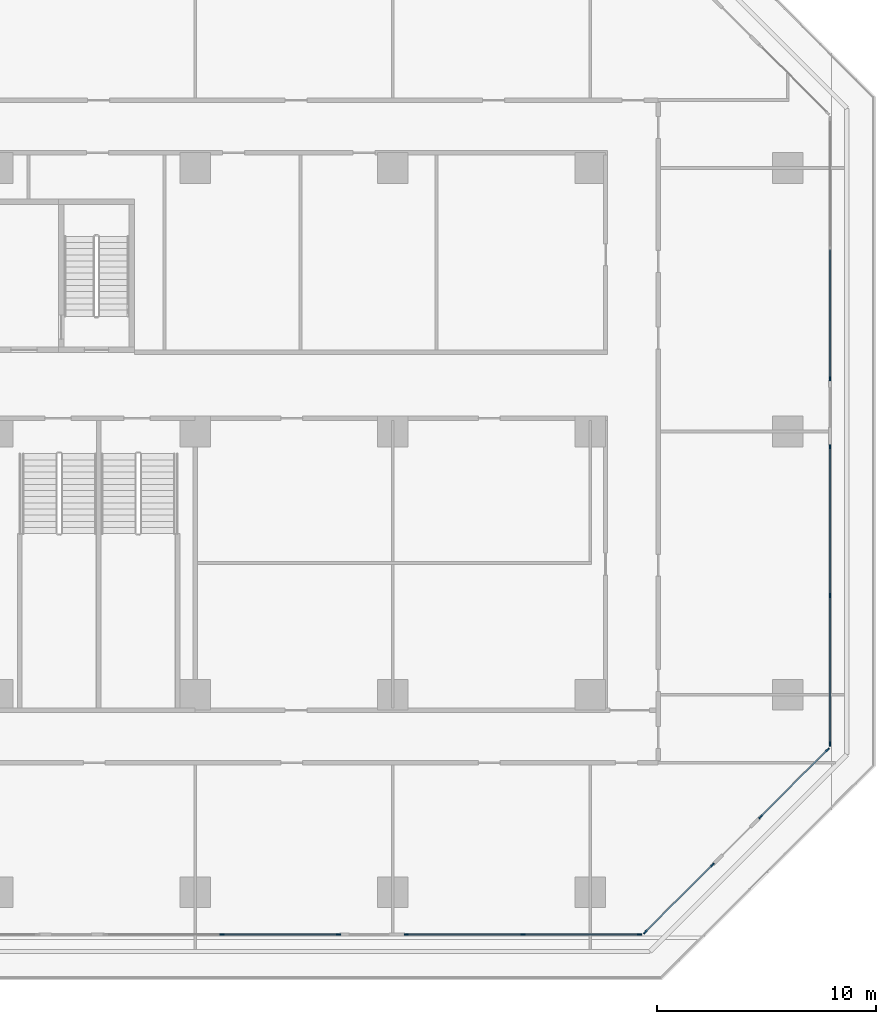
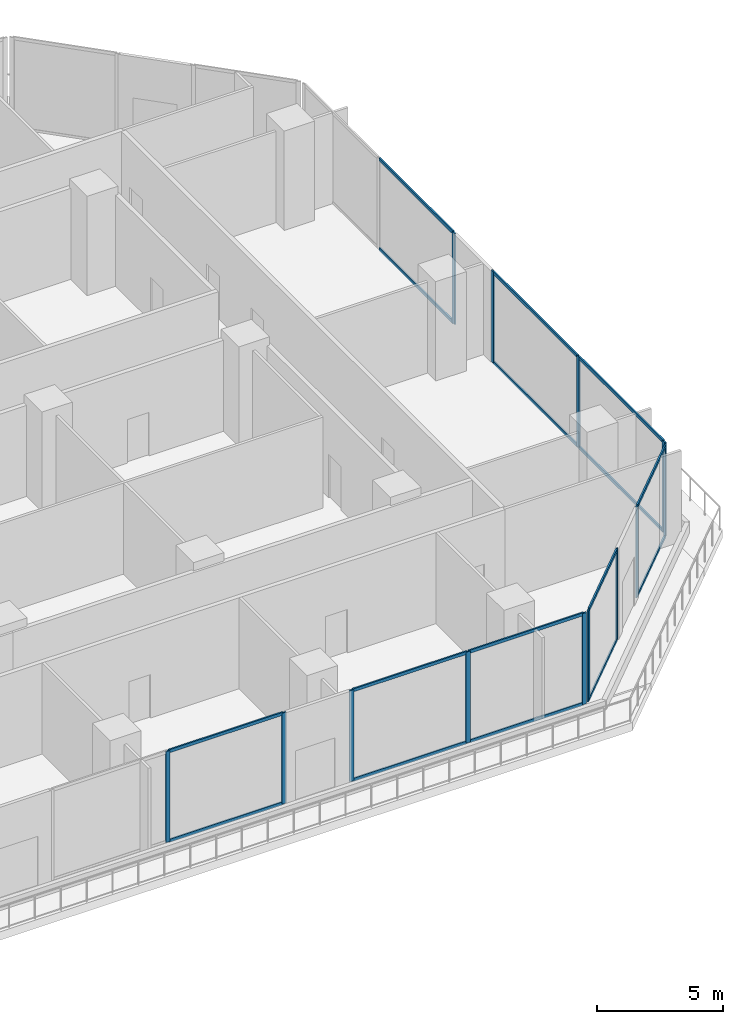
# One storey, part 7 of 31: 29 members, 6 elements without a shape of their own.
"""IFC4 building model written with IfcOpenShell, lengths in metres."""

from ifc_helpers import new_model, si_unit, direction, frame, origin, origin_2d, place, context, subcontext, project, spatial, rectangle, extrude, material, layer, layer_set, material_profile, profile_set, type_object, element, aggregate, save


model = new_model("IFC4")

# Units and contexts
model_context = context("Model", 3, precision=1e-05, world=origin(), true_north=direction((0.0, 1.0)))
body_context = subcontext(model_context, "Body", "Model", "MODEL_VIEW")
ifc_project = project(units=[si_unit("LENGTHUNIT", "METRE"), si_unit("AREAUNIT", "SQUARE_METRE"), si_unit("VOLUMEUNIT", "CUBIC_METRE"), si_unit("PLANEANGLEUNIT", "RADIAN"), si_unit("MASSUNIT", "GRAM", prefix="KILO")], contexts=[model_context])

# Site, building, storey
site_placement = place(None, origin())
site = spatial("IfcSite", under=ifc_project, at=site_placement, CompositionType="ELEMENT")
building_placement = place(site_placement, origin())
building = spatial("IfcBuilding", under=site, at=building_placement, Name="Chenar Terraces", CompositionType="ELEMENT")
storey_placement = place(building_placement, frame((0.0, 0.0, 12.0)))
storey = spatial("IfcBuildingStorey", under=building, at=storey_placement, Name="L02", CompositionType="ELEMENT", Elevation=12.0)

# Curtain wall, members
ifc_material_1 = material(Name="Aluminium framed glazing", Category="aluminium")
ifc_layer = layer(ifc_material_1, 0.14990234375)
ifc_layer_set = layer_set([ifc_layer], Name="Aluminium framed glazing")
curtain_wall_type = type_object("IfcCurtainWallType", Name="School curtain wall", PredefinedType="NOTDEFINED", material=ifc_layer_set)
placement = place(storey_placement, origin())
curtain_wall_1 = element("IfcCurtainWall", 1, at=placement, inside=storey, type_object=curtain_wall_type, Name="School curtain wall", PredefinedType="NOTDEFINED")
ifc_material_2 = material(Name="Aluminium", Category="aluminium")
ifc_material_profile_1 = material_profile(ifc_material_2, rectangle(XDim=0.070068359375, YDim=0.199951171875, at=origin_2d()), Name="School glazing mullion 70 x 200")
ifc_profile_set_1 = profile_set([ifc_material_profile_1], Name="Aluminium")
member_type_1 = type_object("IfcMemberType", Name="School glazing mullion 70 x 200", PredefinedType="MULLION", material=ifc_profile_set_1)
member_1_placement = place(storey_placement, frame((55.214111328125, -10.925048828125, 0.0), z_axis=(0.0, 0.0, 1.0), x_axis=(0.0, 1.0, 0.0)))
member_1 = element("IfcMember", 2, at=member_1_placement, type_object=member_type_1, Name="CW2-07c3 mullion 2", PredefinedType="MULLION", context=body_context, shape_type="SweptSolid", body=[
    extrude(rectangle(XDim=0.070068359375, YDim=0.199951171875, at=origin_2d()), origin(), (0.0, 0.0, 1.0), 4.39990234375),
])
member_2_placement = place(storey_placement, frame((60.5234375, -10.925048828125, 0.0), z_axis=(0.0, 0.0, 1.0), x_axis=(0.0, 1.0, 0.0)))
member_2 = element("IfcMember", 3, at=member_2_placement, type_object=member_type_1, Name="CW2-07c3 mullion 3", PredefinedType="MULLION", context=body_context, shape_type="SweptSolid", body=[
    extrude(rectangle(XDim=0.070068359375, YDim=0.199951171875, at=origin_2d()), origin(), (0.0, 0.0, 1.0), 4.39990234375),
])

curtain_wall_2 = element("IfcCurtainWall", 4, at=placement, inside=storey, type_object=curtain_wall_type, Name="School curtain wall", PredefinedType="NOTDEFINED")
member_3_placement = place(storey_placement, frame((63.618408203125, -10.925048828125, 0.0), z_axis=(0.0, 0.0, 1.0), x_axis=(0.0, 1.0, 0.0)))
member_3 = element("IfcMember", 5, at=member_3_placement, type_object=member_type_1, Name="CW2-07c4 mullion 1", PredefinedType="MULLION", context=body_context, shape_type="SweptSolid", body=[
    extrude(rectangle(XDim=0.070068359375, YDim=0.199951171875, at=origin_2d()), origin(), (0.0, 0.0, 1.0), 4.39990234375),
])
member_4_placement = place(storey_placement, frame((68.934326171875, -10.925048828125, 0.0), z_axis=(0.0, 0.0, 1.0), x_axis=(0.0, 1.0, 0.0)))
member_4 = element("IfcMember", 6, at=member_4_placement, type_object=member_type_1, Name="CW2-07c4 mullion 2", PredefinedType="MULLION", context=body_context, shape_type="SweptSolid", body=[
    extrude(rectangle(XDim=0.070068359375, YDim=0.199951171875, at=origin_2d()), origin(), (0.0, 0.0, 1.0), 4.39990234375),
])
member_5_placement = place(storey_placement, frame((74.25, -10.925048828125, 0.0), z_axis=(0.0, 0.0, 1.0), x_axis=(0.0, 1.0, 0.0)))
member_5 = element("IfcMember", 7, at=member_5_placement, type_object=member_type_1, Name="CW2-07c4 mullion 3", PredefinedType="MULLION", context=body_context, shape_type="SweptSolid", body=[
    extrude(rectangle(XDim=0.070068359375, YDim=0.199951171875, at=origin_2d()), origin(), (0.0, 0.0, 1.0), 4.39990234375),
])

curtain_wall_3 = element("IfcCurtainWall", 8, at=placement, inside=storey, type_object=curtain_wall_type, Name="School curtain wall", PredefinedType="NOTDEFINED")
member_6_placement = place(storey_placement, frame((74.5126953125, -10.816162109375, 0.0), z_axis=(0.0, 0.0, 1.0), x_axis=(-0.707106781187, 0.707106781187, 0.0)))
member_6 = element("IfcMember", 9, at=member_6_placement, type_object=member_type_1, Name="CW2-08c0 mullion 1", PredefinedType="MULLION", context=body_context, shape_type="SweptSolid", body=[
    extrude(rectangle(XDim=0.070068359375, YDim=0.199951171875, at=origin_2d()), origin(), (0.0, 0.0, 1.0), 4.39990234375),
])
member_7_placement = place(storey_placement, frame((77.5703125, -7.7587890625, 0.0), z_axis=(0.0, 0.0, 1.0), x_axis=(-0.707106781187, 0.707106781187, 0.0)))
member_7 = element("IfcMember", 10, at=member_7_placement, type_object=member_type_1, Name="CW2-08c0 mullion 2", PredefinedType="MULLION", context=body_context, shape_type="SweptSolid", body=[
    extrude(rectangle(XDim=0.070068359375, YDim=0.199951171875, at=origin_2d()), origin(), (0.0, 0.0, 1.0), 4.39990234375),
])

curtain_wall_4 = element("IfcCurtainWall", 11, at=placement, inside=storey, type_object=curtain_wall_type, Name="School curtain wall", PredefinedType="NOTDEFINED")
member_8_placement = place(storey_placement, frame((79.7587890625, -5.5703125, 0.0), z_axis=(0.0, 0.0, 1.0), x_axis=(-0.707106781187, 0.707106781187, 0.0)))
member_8 = element("IfcMember", 12, at=member_8_placement, type_object=member_type_1, Name="CW2-08c1 mullion 1", PredefinedType="MULLION", context=body_context, shape_type="SweptSolid", body=[
    extrude(rectangle(XDim=0.070068359375, YDim=0.199951171875, at=origin_2d()), origin(), (0.0, 0.0, 1.0), 4.39990234375),
])
member_9_placement = place(storey_placement, frame((82.816162109375, -2.5126953125, 0.0), z_axis=(0.0, 0.0, 1.0), x_axis=(-0.707106781187, 0.707106781187, 0.0)))
member_9 = element("IfcMember", 13, at=member_9_placement, type_object=member_type_1, Name="CW2-08c1 mullion 2", PredefinedType="MULLION", context=body_context, shape_type="SweptSolid", body=[
    extrude(rectangle(XDim=0.070068359375, YDim=0.199951171875, at=origin_2d()), origin(), (0.0, 0.0, 1.0), 4.39990234375),
])

curtain_wall_5 = element("IfcCurtainWall", 14, at=placement, inside=storey, type_object=curtain_wall_type, Name="School curtain wall", PredefinedType="NOTDEFINED")
member_10_placement = place(storey_placement, frame((82.925048828125, -2.25, 0.0), z_axis=(0.0, 0.0, 1.0), x_axis=(-1.0, 0.0, 0.0)))
member_10 = element("IfcMember", 15, at=member_10_placement, type_object=member_type_1, Name="CW2-09c0 mullion 1", PredefinedType="MULLION", context=body_context, shape_type="SweptSolid", body=[
    extrude(rectangle(XDim=0.070068359375, YDim=0.199951171875, at=origin_2d()), origin(), (0.0, 0.0, 1.0), 4.39990234375),
])
member_11_placement = place(storey_placement, frame((82.925048828125, 4.5263671875, 0.0), z_axis=(0.0, 0.0, 1.0), x_axis=(-1.0, 0.0, 0.0)))
member_11 = element("IfcMember", 16, at=member_11_placement, type_object=member_type_1, Name="CW2-09c0 mullion 2", PredefinedType="MULLION", context=body_context, shape_type="SweptSolid", body=[
    extrude(rectangle(XDim=0.070068359375, YDim=0.199951171875, at=origin_2d()), origin(), (0.0, 0.0, 1.0), 4.39990234375),
])
member_12_placement = place(storey_placement, frame((82.925048828125, 11.302490234375, 0.0), z_axis=(0.0, 0.0, 1.0), x_axis=(-1.0, 0.0, 0.0)))
member_12 = element("IfcMember", 17, at=member_12_placement, type_object=member_type_1, Name="CW2-09c0 mullion 3", PredefinedType="MULLION", context=body_context, shape_type="SweptSolid", body=[
    extrude(rectangle(XDim=0.070068359375, YDim=0.199951171875, at=origin_2d()), origin(), (0.0, 0.0, 1.0), 4.39990234375),
])

# Curtain wall, member
curtain_wall_6 = element("IfcCurtainWall", 18, at=placement, inside=storey, type_object=curtain_wall_type, Name="School curtain wall", PredefinedType="NOTDEFINED")
member_13_placement = place(storey_placement, frame((82.925048828125, 14.3974609375, 0.0), z_axis=(0.0, 0.0, 1.0), x_axis=(-1.0, 0.0, 0.0)))
member_13 = element("IfcMember", 19, at=member_13_placement, type_object=member_type_1, Name="CW2-09c1 mullion 1", PredefinedType="MULLION", context=body_context, shape_type="SweptSolid", body=[
    extrude(rectangle(XDim=0.070068359375, YDim=0.199951171875, at=origin_2d()), origin(), (0.0, 0.0, 1.0), 4.39990234375),
])

# Member
ifc_material_3 = material(Name="Aluminium", Category="aluminium")
ifc_material_profile_2 = material_profile(ifc_material_3, rectangle(XDim=0.070068359375, YDim=0.14990234375, at=origin_2d()), Name="School glazing transom 70 x 150")
ifc_profile_set_2 = profile_set([ifc_material_profile_2], Name="Aluminium")
member_type_2 = type_object("IfcMemberType", Name="School glazing transom 70 x 150", PredefinedType="USERDEFINED", material=ifc_profile_set_2)
member_14_placement = place(storey_placement, frame((55.2490234375, -10.925048828125, 0.034912109375), z_axis=(1.0, 0.0, 0.0), x_axis=(0.0, 1.0, 0.0)))
member_14 = element("IfcMember", 20, at=member_14_placement, type_object=member_type_2, Name="CW2-07c3 transom 2.1", ObjectType="TRANSOM", PredefinedType="USERDEFINED", context=body_context, shape_type="SweptSolid", body=[
    extrude(rectangle(XDim=0.070068359375, YDim=0.14990234375, at=origin_2d()), origin(), (0.0, 0.0, 1.0), 5.239501953125),
])

member_15_placement = place(storey_placement, frame((55.2490234375, -10.925048828125, 4.364990234375), z_axis=(1.0, 0.0, 0.0), x_axis=(0.0, 1.0, 0.0)))
member_15 = element("IfcMember", 21, at=member_15_placement, type_object=member_type_2, Name="CW2-07c3 transom 2.2", ObjectType="TRANSOM", PredefinedType="USERDEFINED", context=body_context, shape_type="SweptSolid", body=[
    extrude(rectangle(XDim=0.070068359375, YDim=0.14990234375, at=origin_2d()), origin(), (0.0, 0.0, 1.0), 5.239501953125),
])

aggregate(curtain_wall_1, [member_1, member_2, member_14, member_15])

member_16_placement = place(storey_placement, frame((63.653564453125, -10.925048828125, 0.034912109375), z_axis=(1.0, 0.0, 0.0), x_axis=(0.0, 1.0, 0.0)))
member_16 = element("IfcMember", 22, at=member_16_placement, type_object=member_type_2, Name="CW2-07c4 transom 1.1", ObjectType="TRANSOM", PredefinedType="USERDEFINED", context=body_context, shape_type="SweptSolid", body=[
    extrude(rectangle(XDim=0.070068359375, YDim=0.14990234375, at=origin_2d()), origin(), (0.0, 0.0, 1.0), 5.24560546875),
])

member_17_placement = place(storey_placement, frame((63.653564453125, -10.925048828125, 4.364990234375), z_axis=(1.0, 0.0, 0.0), x_axis=(0.0, 1.0, 0.0)))
member_17 = element("IfcMember", 23, at=member_17_placement, type_object=member_type_2, Name="CW2-07c4 transom 1.2", ObjectType="TRANSOM", PredefinedType="USERDEFINED", context=body_context, shape_type="SweptSolid", body=[
    extrude(rectangle(XDim=0.070068359375, YDim=0.14990234375, at=origin_2d()), origin(), (0.0, 0.0, 1.0), 5.24560546875),
])

member_18_placement = place(storey_placement, frame((68.96923828125, -10.925048828125, 0.034912109375), z_axis=(1.0, 0.0, 0.0), x_axis=(0.0, 1.0, 0.0)))
member_18 = element("IfcMember", 24, at=member_18_placement, type_object=member_type_2, Name="CW2-07c4 transom 2.1", ObjectType="TRANSOM", PredefinedType="USERDEFINED", context=body_context, shape_type="SweptSolid", body=[
    extrude(rectangle(XDim=0.070068359375, YDim=0.14990234375, at=origin_2d()), origin(), (0.0, 0.0, 1.0), 5.245849609375),
])

member_19_placement = place(storey_placement, frame((68.96923828125, -10.925048828125, 4.364990234375), z_axis=(1.0, 0.0, 0.0), x_axis=(0.0, 1.0, 0.0)))
member_19 = element("IfcMember", 25, at=member_19_placement, type_object=member_type_2, Name="CW2-07c4 transom 2.2", ObjectType="TRANSOM", PredefinedType="USERDEFINED", context=body_context, shape_type="SweptSolid", body=[
    extrude(rectangle(XDim=0.070068359375, YDim=0.14990234375, at=origin_2d()), origin(), (0.0, 0.0, 1.0), 5.245849609375),
])

aggregate(curtain_wall_2, [member_3, member_4, member_5, member_16, member_17, member_18, member_19])

member_20_placement = place(storey_placement, frame((74.53759765625, -10.79150390625, 0.034912109375), z_axis=(0.707078084253, 0.707135476955, 0.0), x_axis=(-0.707135476955, 0.707078084253, 0.0)))
member_20 = element("IfcMember", 26, at=member_20_placement, type_object=member_type_2, Name="CW2-08c0 transom 1.1", ObjectType="TRANSOM", PredefinedType="USERDEFINED", context=body_context, shape_type="SweptSolid", body=[
    extrude(rectangle(XDim=0.070068359375, YDim=0.14990234375, at=origin_2d()), origin(), (0.0, 0.0, 1.0), 4.25390625),
])

member_21_placement = place(storey_placement, frame((74.53759765625, -10.79150390625, 4.364990234375), z_axis=(0.707078084253, 0.707135476955, 0.0), x_axis=(-0.707135476955, 0.707078084253, 0.0)))
member_21 = element("IfcMember", 27, at=member_21_placement, type_object=member_type_2, Name="CW2-08c0 transom 1.2", ObjectType="TRANSOM", PredefinedType="USERDEFINED", context=body_context, shape_type="SweptSolid", body=[
    extrude(rectangle(XDim=0.070068359375, YDim=0.14990234375, at=origin_2d()), origin(), (0.0, 0.0, 1.0), 4.25390625),
])

aggregate(curtain_wall_3, [member_6, member_7, member_20, member_21])

member_22_placement = place(storey_placement, frame((79.783447265625, -5.54541015625, 0.034912109375), z_axis=(0.707135476955, 0.707078084253, 0.0), x_axis=(-0.707078084253, 0.707135476955, 0.0)))
member_22 = element("IfcMember", 28, at=member_22_placement, type_object=member_type_2, Name="CW2-08c1 transom 1.1", ObjectType="TRANSOM", PredefinedType="USERDEFINED", context=body_context, shape_type="SweptSolid", body=[
    extrude(rectangle(XDim=0.070068359375, YDim=0.14990234375, at=origin_2d()), origin(), (0.0, 0.0, 1.0), 4.25390625),
])

member_23_placement = place(storey_placement, frame((79.783447265625, -5.54541015625, 4.364990234375), z_axis=(0.707135476955, 0.707078084253, 0.0), x_axis=(-0.707078084253, 0.707135476955, 0.0)))
member_23 = element("IfcMember", 29, at=member_23_placement, type_object=member_type_2, Name="CW2-08c1 transom 1.2", ObjectType="TRANSOM", PredefinedType="USERDEFINED", context=body_context, shape_type="SweptSolid", body=[
    extrude(rectangle(XDim=0.070068359375, YDim=0.14990234375, at=origin_2d()), origin(), (0.0, 0.0, 1.0), 4.25390625),
])

aggregate(curtain_wall_4, [member_8, member_9, member_22, member_23])

member_24_placement = place(storey_placement, frame((82.925048828125, -2.215087890625, 0.034912109375), z_axis=(0.0, 1.0, 0.0), x_axis=(-1.0, 0.0, 0.0)))
member_24 = element("IfcMember", 30, at=member_24_placement, type_object=member_type_2, Name="CW2-09c0 transom 1.1", ObjectType="TRANSOM", PredefinedType="USERDEFINED", context=body_context, shape_type="SweptSolid", body=[
    extrude(rectangle(XDim=0.070068359375, YDim=0.14990234375, at=origin_2d()), origin(), (0.0, 0.0, 1.0), 6.706298828125),
])

member_25_placement = place(storey_placement, frame((82.925048828125, -2.215087890625, 4.364990234375), z_axis=(0.0, 1.0, 0.0), x_axis=(-1.0, 0.0, 0.0)))
member_25 = element("IfcMember", 31, at=member_25_placement, type_object=member_type_2, Name="CW2-09c0 transom 1.2", ObjectType="TRANSOM", PredefinedType="USERDEFINED", context=body_context, shape_type="SweptSolid", body=[
    extrude(rectangle(XDim=0.070068359375, YDim=0.14990234375, at=origin_2d()), origin(), (0.0, 0.0, 1.0), 6.706298828125),
])

member_26_placement = place(storey_placement, frame((82.925048828125, 4.561279296875, 0.034912109375), z_axis=(0.0, 1.0, 0.0), x_axis=(-1.0, 0.0, 0.0)))
member_26 = element("IfcMember", 32, at=member_26_placement, type_object=member_type_2, Name="CW2-09c0 transom 2.1", ObjectType="TRANSOM", PredefinedType="USERDEFINED", context=body_context, shape_type="SweptSolid", body=[
    extrude(rectangle(XDim=0.070068359375, YDim=0.14990234375, at=origin_2d()), origin(), (0.0, 0.0, 1.0), 6.706298828125),
])

member_27_placement = place(storey_placement, frame((82.925048828125, 4.561279296875, 4.364990234375), z_axis=(0.0, 1.0, 0.0), x_axis=(-1.0, 0.0, 0.0)))
member_27 = element("IfcMember", 33, at=member_27_placement, type_object=member_type_2, Name="CW2-09c0 transom 2.2", ObjectType="TRANSOM", PredefinedType="USERDEFINED", context=body_context, shape_type="SweptSolid", body=[
    extrude(rectangle(XDim=0.070068359375, YDim=0.14990234375, at=origin_2d()), origin(), (0.0, 0.0, 1.0), 6.706298828125),
])

aggregate(curtain_wall_5, [member_10, member_11, member_12, member_24, member_25, member_26, member_27])

member_28_placement = place(storey_placement, frame((82.925048828125, 14.432373046875, 0.034912109375), z_axis=(0.0, 1.0, 0.0), x_axis=(-1.0, 0.0, 0.0)))
member_28 = element("IfcMember", 34, at=member_28_placement, type_object=member_type_2, Name="CW2-09c1 transom 1.1", ObjectType="TRANSOM", PredefinedType="USERDEFINED", context=body_context, shape_type="SweptSolid", body=[
    extrude(rectangle(XDim=0.070068359375, YDim=0.14990234375, at=origin_2d()), origin(), (0.0, 0.0, 1.0), 5.8564453125),
])

member_29_placement = place(storey_placement, frame((82.925048828125, 14.432373046875, 4.364990234375), z_axis=(0.0, 1.0, 0.0), x_axis=(-1.0, 0.0, 0.0)))
member_29 = element("IfcMember", 35, at=member_29_placement, type_object=member_type_2, Name="CW2-09c1 transom 1.2", ObjectType="TRANSOM", PredefinedType="USERDEFINED", context=body_context, shape_type="SweptSolid", body=[
    extrude(rectangle(XDim=0.070068359375, YDim=0.14990234375, at=origin_2d()), origin(), (0.0, 0.0, 1.0), 5.8564453125),
])

aggregate(curtain_wall_6, [member_13, member_28, member_29])

save(model, "model.ifc")
